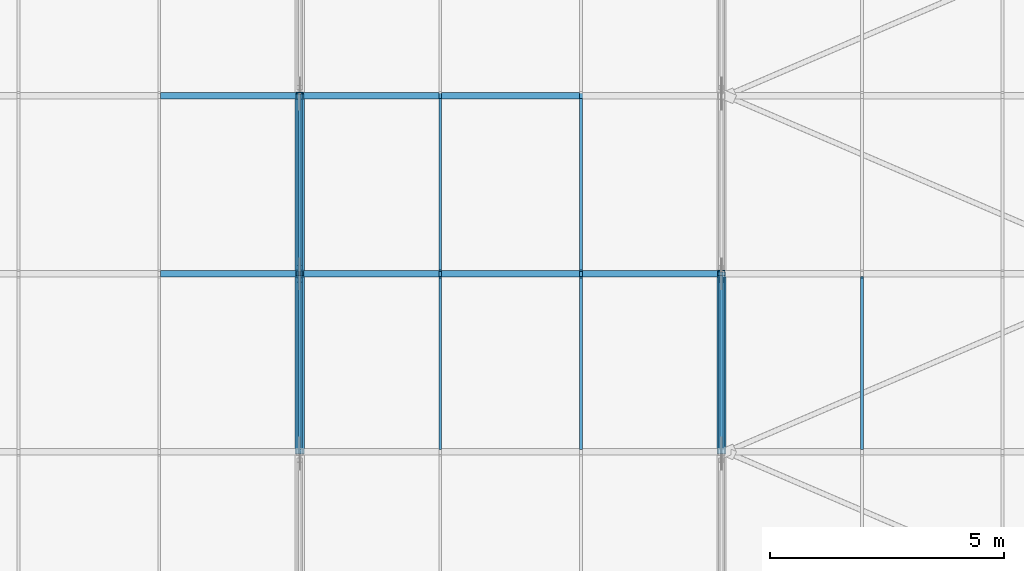
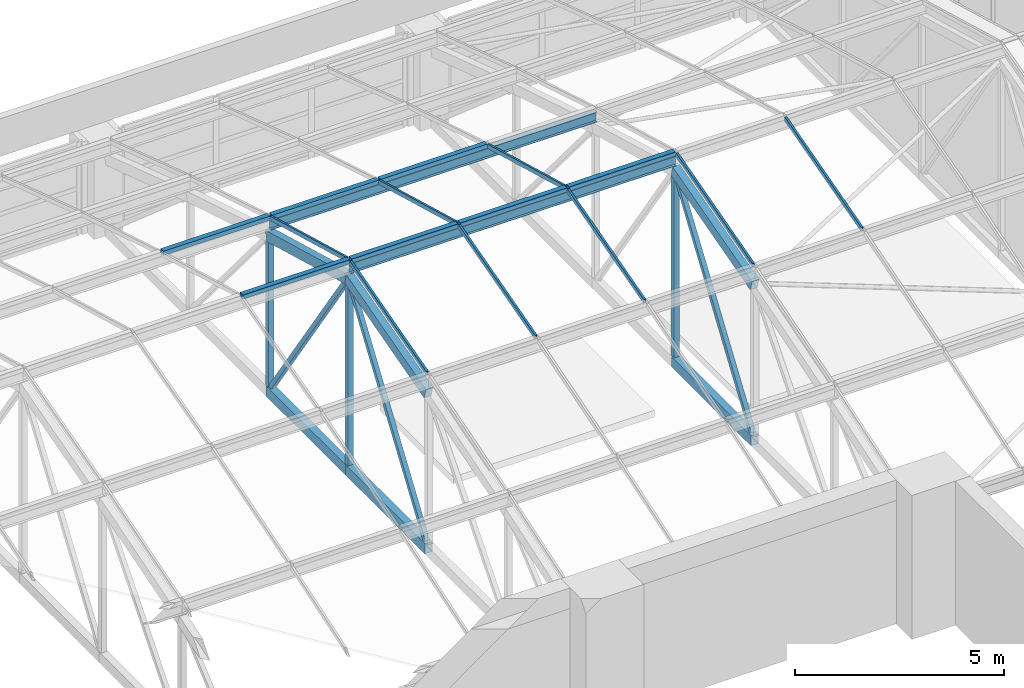
# One storey, part 35 of 82: 29 members, 1 element without a shape of its own.
"""IFC4 building model written with IfcOpenShell, lengths in metres."""

from ifc_helpers import new_model, si_unit, direction, frame, origin, origin_2d, place, context, subcontext, project, spatial, rectangle, hollow_rectangle, i_section, extrude, material, material_profile, profile_set, type_object, element, aggregate, save


model = new_model("IFC4")

# Units and contexts
model_context = context("Model", 3, precision=1e-05, world=origin(), true_north=direction((0.0, 1.0)))
body_context = subcontext(model_context, "Body", "Model", "MODEL_VIEW")
ifc_project = project(units=[si_unit("LENGTHUNIT", "METRE"), si_unit("AREAUNIT", "SQUARE_METRE"), si_unit("VOLUMEUNIT", "CUBIC_METRE"), si_unit("PLANEANGLEUNIT", "RADIAN"), si_unit("MASSUNIT", "GRAM", prefix="KILO")], contexts=[model_context])

# Site, building, storey
site_placement = place(None, origin())
site = spatial("IfcSite", under=ifc_project, at=site_placement, CompositionType="ELEMENT")
building_placement = place(site_placement, origin())
building = spatial("IfcBuilding", under=site, at=building_placement, Name="Aravalli Gate Trade Fair Centre", CompositionType="ELEMENT")
storey_placement = place(building_placement, frame((0.0, 0.0, 19.199951171875)))
storey = spatial("IfcBuildingStorey", under=building, at=storey_placement, Name="L04", CompositionType="ELEMENT", Elevation=19.199951171875)

# Members
ifc_material_1 = material(Name="Steel E350", Category="steel")
ifc_material_profile_1 = material_profile(ifc_material_1, i_section(OverallWidth=0.139892578125, OverallDepth=0.300048828125, WebThickness=0.0078125, FlangeThickness=0.01318359375, at=origin_2d()), Name="ISMB 300")
ifc_profile_set_1 = profile_set([ifc_material_profile_1], Name="Steel E350")
member_type_1 = type_object("IfcMemberType", Name="ISMB 300 roof purlin", PredefinedType="PURLIN", material=ifc_profile_set_1)
for number, where, z_axis, x_axis, name in (
    (1, (141.0, 121.10009765625, 6.030029296875), (1.0, 0.0, 0.0), (0.0, 1.0, 0.0), "Vault purlin 16-17 F3"),
    (2, (141.0, 124.89990234375, 4.999267578125), (1.0, 0.0, 0.0), (0.0, 1.0, 0.0), "Vault purlin 16-17 F4"),
):
    element("IfcMember", number, at=place(storey_placement, frame(where, z_axis=z_axis, x_axis=x_axis)), inside=storey, type_object=member_type_1, Name=name, PredefinedType="PURLIN", context=body_context, shape_type="SweptSolid", body=[
        extrude(i_section(OverallWidth=0.139892578125, OverallDepth=0.300048828125, WebThickness=0.0078125, FlangeThickness=0.01318359375, at=origin_2d()), origin(), (0.0, 0.0, 1.0), 9.0),
    ])
ifc_material_profile_2 = material_profile(ifc_material_1, hollow_rectangle(XDim=0.199951171875, YDim=0.300048828125, WallThickness=0.011962890625, at=origin_2d()), Name="RHS 300x200x12")
ifc_profile_set_2 = profile_set([ifc_material_profile_2], Name="Steel E350")
member_type_2 = type_object("IfcMemberType", Name="RHS 300x200x12 CT1 truss chord", PredefinedType="CHORD", material=ifc_profile_set_2)
member_1_placement = place(storey_placement, frame((141.0, 117.300048828125, 4.674560546875), z_axis=(0.0, 0.963894016224, 0.266286172166), x_axis=(-1.0, 0.0, 0.0)))
element("IfcMember", 3, at=member_1_placement, inside=storey, type_object=member_type_2, Name="Concourse vault truss CT1 line 16 top chord T3", PredefinedType="CHORD", context=body_context, shape_type="SweptSolid", body=[
    extrude(hollow_rectangle(XDim=0.199951171875, YDim=0.300048828125, WallThickness=0.011962890625, at=origin_2d()), origin(), (0.0, 0.0, 1.0), 3.9423828125),
])
member_2_placement = place(storey_placement, frame((141.0, 117.300048828125, 0.150146484375), z_axis=(0.0, 1.0, 0.0), x_axis=(-1.0, 0.0, 0.0)))
element("IfcMember", 4, at=member_2_placement, inside=storey, type_object=member_type_2, Name="Concourse vault truss CT1 line 16 bottom chord B3", PredefinedType="CHORD", context=body_context, shape_type="SweptSolid", body=[
    extrude(hollow_rectangle(XDim=0.199951171875, YDim=0.300048828125, WallThickness=0.011962890625, at=origin_2d()), origin(), (0.0, 0.0, 1.0), 3.800048828125),
])
member_3_placement = place(storey_placement, frame((141.0, 121.10009765625, 5.724365234375), z_axis=(0.0, 0.96388962469, -0.266302067988), x_axis=(-1.0, 0.0, 0.0)))
element("IfcMember", 5, at=member_3_placement, inside=storey, type_object=member_type_2, Name="Concourse vault truss CT1 line 16 top chord T4", PredefinedType="CHORD", context=body_context, shape_type="SweptSolid", body=[
    extrude(hollow_rectangle(XDim=0.199951171875, YDim=0.300048828125, WallThickness=0.011962890625, at=origin_2d()), origin(), (0.0, 0.0, 1.0), 3.942138671875),
])
member_4_placement = place(storey_placement, frame((141.0, 121.10009765625, 0.150146484375), z_axis=(0.0, 1.0, 0.0), x_axis=(-1.0, 0.0, 0.0)))
element("IfcMember", 6, at=member_4_placement, inside=storey, type_object=member_type_2, Name="Concourse vault truss CT1 line 16 bottom chord B4", PredefinedType="CHORD", context=body_context, shape_type="SweptSolid", body=[
    extrude(hollow_rectangle(XDim=0.199951171875, YDim=0.300048828125, WallThickness=0.011962890625, at=origin_2d()), origin(), (0.0, 0.0, 1.0), 3.7998046875),
])
member_5_placement = place(storey_placement, frame((150.0, 117.300048828125, 4.674560546875), z_axis=(0.0, 0.963894016224, 0.266286172166), x_axis=(-1.0, 0.0, 0.0)))
element("IfcMember", 7, at=member_5_placement, inside=storey, type_object=member_type_2, Name="Concourse vault truss CT1 line 17 top chord T3", PredefinedType="CHORD", context=body_context, shape_type="SweptSolid", body=[
    extrude(hollow_rectangle(XDim=0.199951171875, YDim=0.300048828125, WallThickness=0.011962890625, at=origin_2d()), origin(), (0.0, 0.0, 1.0), 3.9423828125),
])
member_6_placement = place(storey_placement, frame((150.0, 117.300048828125, 0.150146484375), z_axis=(0.0, 1.0, 0.0), x_axis=(-1.0, 0.0, 0.0)))
element("IfcMember", 8, at=member_6_placement, inside=storey, type_object=member_type_2, Name="Concourse vault truss CT1 line 17 bottom chord B3", PredefinedType="CHORD", context=body_context, shape_type="SweptSolid", body=[
    extrude(hollow_rectangle(XDim=0.199951171875, YDim=0.300048828125, WallThickness=0.011962890625, at=origin_2d()), origin(), (0.0, 0.0, 1.0), 3.800048828125),
])
ifc_material_profile_3 = material_profile(ifc_material_1, hollow_rectangle(XDim=0.125, YDim=0.125, WallThickness=0.006103515625, at=origin_2d()), Name="SHS 125x125x6")
ifc_profile_set_3 = profile_set([ifc_material_profile_3], Name="Steel E350")
member_type_3 = type_object("IfcMemberType", Name="SHS 125x125x6 CT1 truss diagonal", PredefinedType="BRACE", material=ifc_profile_set_3)
for number, where, z_axis, x_axis, name in (
    (9, (141.0, 117.40234375, 0.300048828125), (0.0, 0.5632471019, 0.826288510268), (-1.0, 0.0, 0.0), "Concourse vault truss CT1 line 16 diagonal D3"),
    (10, (141.0, 121.230712890625, 5.53271484375), (0.0, 0.5632471019, -0.826288510268), (-1.0, 0.0, 0.0), "Concourse vault truss CT1 line 16 diagonal D4"),
    (11, (150.0, 117.40234375, 0.300048828125), (0.0, 0.5632471019, 0.826288510268), (-1.0, 0.0, 0.0), "Concourse vault truss CT1 line 17 diagonal D3"),
):
    element("IfcMember", number, at=place(storey_placement, frame(where, z_axis=z_axis, x_axis=x_axis)), inside=storey, type_object=member_type_3, Name=name, PredefinedType="BRACE", context=body_context, shape_type="SweptSolid", body=[
        extrude(hollow_rectangle(XDim=0.125, YDim=0.125, WallThickness=0.006103515625, at=origin_2d()), origin(), (0.0, 0.0, 1.0), 6.332763671875),
    ])
ifc_material_profile_4 = material_profile(ifc_material_1, hollow_rectangle(XDim=0.14990234375, YDim=0.14990234375, WallThickness=0.006103515625, at=origin_2d()), Name="SHS 150x150x6")
ifc_profile_set_4 = profile_set([ifc_material_profile_4], Name="Steel E350")
member_type_4 = type_object("IfcMemberType", Name="SHS 150x150x6 CT1 truss post", PredefinedType="POST", material=ifc_profile_set_4)
member_7_placement = place(storey_placement, frame((141.0, 121.10009765625, 0.300048828125), z_axis=(0.0, 0.0, 1.0), x_axis=(1.0, 0.0, 0.0)))
element("IfcMember", 12, at=member_7_placement, inside=storey, type_object=member_type_4, Name="Concourse vault truss CT1 line 16 post V3", PredefinedType="POST", context=body_context, shape_type="SweptSolid", body=[
    extrude(hollow_rectangle(XDim=0.14990234375, YDim=0.14990234375, WallThickness=0.006103515625, at=origin_2d()), origin(), (0.0, 0.0, 1.0), 5.268798828125),
])
member_8_placement = place(storey_placement, frame((141.0, 124.89990234375, 0.300048828125), z_axis=(0.0, 0.0, 1.0), x_axis=(1.0, 0.0, 0.0)))
element("IfcMember", 13, at=member_8_placement, inside=storey, type_object=member_type_4, Name="Concourse vault truss CT1 line 16 post V4", PredefinedType="POST", context=body_context, shape_type="SweptSolid", body=[
    extrude(hollow_rectangle(XDim=0.14990234375, YDim=0.14990234375, WallThickness=0.006103515625, at=origin_2d()), origin(), (0.0, 0.0, 1.0), 4.216552734375),
])
member_9_placement = place(storey_placement, frame((150.0, 121.10009765625, 0.300048828125), z_axis=(0.0, 0.0, 1.0), x_axis=(1.0, 0.0, 0.0)))
element("IfcMember", 14, at=member_9_placement, inside=storey, type_object=member_type_4, Name="Concourse vault truss CT1 line 17 post V3", PredefinedType="POST", context=body_context, shape_type="SweptSolid", body=[
    extrude(hollow_rectangle(XDim=0.14990234375, YDim=0.14990234375, WallThickness=0.006103515625, at=origin_2d()), origin(), (0.0, 0.0, 1.0), 5.268798828125),
])
ifc_material_2 = material(Name="Aluminium", Category="aluminium")
ifc_material_profile_5 = material_profile(ifc_material_2, rectangle(XDim=0.139892578125, YDim=0.1201171875, at=origin_2d()), Name="Vault fold cap 140 x 120")
ifc_profile_set_5 = profile_set([ifc_material_profile_5], Name="Aluminium")
member_type_5 = type_object("IfcMemberType", Name="Vault fold cap 140 x 120", PredefinedType="USERDEFINED", material=ifc_profile_set_5)
for number, where, z_axis, x_axis, name in (
    (15, (138.030029296875, 121.10009765625, 6.239990234375), (1.0, 0.0, 0.0), (0.0, 1.0, 0.0), "Vault fold cap e13.3"),
    (16, (138.030029296875, 124.89990234375, 5.209228515625), (1.0, 0.0, 0.0), (0.0, 1.0, 0.0), "Vault fold cap e13.4"),
    (17, (141.030029296875, 121.10009765625, 6.239990234375), (1.0, 0.0, 0.0), (0.0, 1.0, 0.0), "Vault fold cap e14.3"),
    (18, (141.030029296875, 124.89990234375, 5.209228515625), (1.0, 0.0, 0.0), (0.0, 1.0, 0.0), "Vault fold cap e14.4"),
    (19, (144.030029296875, 121.10009765625, 6.239990234375), (1.0, 0.0, 0.0), (0.0, 1.0, 0.0), "Vault fold cap e15.3"),
    (20, (144.030029296875, 124.89990234375, 5.209228515625), (1.0, 0.0, 0.0), (0.0, 1.0, 0.0), "Vault fold cap e15.4"),
    (21, (147.030029296875, 121.10009765625, 6.239990234375), (1.0, 0.0, 0.0), (0.0, 1.0, 0.0), "Vault fold cap e16.3"),
):
    element("IfcMember", number, at=place(storey_placement, frame(where, z_axis=z_axis, x_axis=x_axis)), inside=storey, type_object=member_type_5, Name=name, ObjectType="FOLD CAP", PredefinedType="USERDEFINED", context=body_context, shape_type="SweptSolid", body=[
        extrude(rectangle(XDim=0.139892578125, YDim=0.1201171875, at=origin_2d()), origin(), (0.0, 0.0, 1.0), 2.93994140625),
    ])

# Curtain wall, members
ifc_material_3 = material(Name="Aluminium and glass", Category="aluminium")
curtain_wall_type = type_object("IfcCurtainWallType", Name="Vault curtain wall, sloped glazing", PredefinedType="NOTDEFINED", material=ifc_material_3)
curtain_wall_placement = place(storey_placement, origin())
curtain_wall = element("IfcCurtainWall", 22, at=curtain_wall_placement, inside=storey, type_object=curtain_wall_type, Name="Vault curtain wall e", PredefinedType="NOTDEFINED")
ifc_material_profile_6 = material_profile(ifc_material_2, rectangle(XDim=0.06005859375, YDim=0.1201171875, at=origin_2d()), Name="Vault glazing bar 60 x 120")
ifc_profile_set_6 = profile_set([ifc_material_profile_6], Name="Aluminium")
member_type_6 = type_object("IfcMemberType", Name="Vault glazing bar 60 x 120", PredefinedType="USERDEFINED", material=ifc_profile_set_6)
member_10_placement = place(storey_placement, frame((141.0, 117.3701171875, 5.20703125), z_axis=(0.0, 0.96386804037, 0.266380180859), x_axis=(-1.0, 0.0, 0.0)))
member_10 = element("IfcMember", 23, at=member_10_placement, type_object=member_type_6, Name="Vault glazing bar e14.3", ObjectType="GLAZING BAR", PredefinedType="USERDEFINED", context=body_context, shape_type="SweptSolid", body=[
    extrude(rectangle(XDim=0.06005859375, YDim=0.1201171875, at=origin_2d()), origin(), (0.0, 0.0, 1.0), 3.797119140625),
])
member_11_placement = place(storey_placement, frame((141.0, 121.169921875, 6.218505859375), z_axis=(0.0, 0.963872602318, -0.266363673386), x_axis=(-1.0, 0.0, 0.0)))
member_11 = element("IfcMember", 24, at=member_11_placement, type_object=member_type_6, Name="Vault glazing bar e14.4", ObjectType="GLAZING BAR", PredefinedType="USERDEFINED", context=body_context, shape_type="SweptSolid", body=[
    extrude(rectangle(XDim=0.06005859375, YDim=0.1201171875, at=origin_2d()), origin(), (0.0, 0.0, 1.0), 3.79736328125),
])
member_12_placement = place(storey_placement, frame((144.0, 117.3701171875, 5.20703125), z_axis=(0.0, 0.96386804037, 0.266380180859), x_axis=(-1.0, 0.0, 0.0)))
member_12 = element("IfcMember", 25, at=member_12_placement, type_object=member_type_6, Name="Vault glazing bar e15.3", ObjectType="GLAZING BAR", PredefinedType="USERDEFINED", context=body_context, shape_type="SweptSolid", body=[
    extrude(rectangle(XDim=0.06005859375, YDim=0.1201171875, at=origin_2d()), origin(), (0.0, 0.0, 1.0), 3.797119140625),
])
member_13_placement = place(storey_placement, frame((144.0, 121.169921875, 6.218505859375), z_axis=(0.0, 0.963872602318, -0.266363673386), x_axis=(-1.0, 0.0, 0.0)))
member_13 = element("IfcMember", 26, at=member_13_placement, type_object=member_type_6, Name="Vault glazing bar e15.4", ObjectType="GLAZING BAR", PredefinedType="USERDEFINED", context=body_context, shape_type="SweptSolid", body=[
    extrude(rectangle(XDim=0.06005859375, YDim=0.1201171875, at=origin_2d()), origin(), (0.0, 0.0, 1.0), 3.79736328125),
])
member_14_placement = place(storey_placement, frame((147.0, 117.3701171875, 5.20703125), z_axis=(0.0, 0.96386804037, 0.266380180859), x_axis=(-1.0, 0.0, 0.0)))
member_14 = element("IfcMember", 27, at=member_14_placement, type_object=member_type_6, Name="Vault glazing bar e16.3", ObjectType="GLAZING BAR", PredefinedType="USERDEFINED", context=body_context, shape_type="SweptSolid", body=[
    extrude(rectangle(XDim=0.06005859375, YDim=0.1201171875, at=origin_2d()), origin(), (0.0, 0.0, 1.0), 3.797119140625),
])
member_15_placement = place(storey_placement, frame((147.0, 121.169921875, 6.218505859375), z_axis=(0.0, 0.963872602318, -0.266363673386), x_axis=(-1.0, 0.0, 0.0)))
member_15 = element("IfcMember", 28, at=member_15_placement, type_object=member_type_6, Name="Vault glazing bar e16.4", ObjectType="GLAZING BAR", PredefinedType="USERDEFINED", context=body_context, shape_type="SweptSolid", body=[
    extrude(rectangle(XDim=0.06005859375, YDim=0.1201171875, at=origin_2d()), origin(), (0.0, 0.0, 1.0), 3.79736328125),
])
member_16_placement = place(storey_placement, frame((150.0, 117.3701171875, 5.20703125), z_axis=(0.0, 0.96386804037, 0.266380180859), x_axis=(-1.0, 0.0, 0.0)))
member_16 = element("IfcMember", 29, at=member_16_placement, type_object=member_type_6, Name="Vault glazing bar e17.3", ObjectType="GLAZING BAR", PredefinedType="USERDEFINED", context=body_context, shape_type="SweptSolid", body=[
    extrude(rectangle(XDim=0.06005859375, YDim=0.1201171875, at=origin_2d()), origin(), (0.0, 0.0, 1.0), 3.797119140625),
])
member_17_placement = place(storey_placement, frame((153.0, 117.3701171875, 5.20703125), z_axis=(0.0, 0.96386804037, 0.266380180859), x_axis=(-1.0, 0.0, 0.0)))
member_17 = element("IfcMember", 30, at=member_17_placement, type_object=member_type_6, Name="Vault glazing bar e18.3", ObjectType="GLAZING BAR", PredefinedType="USERDEFINED", context=body_context, shape_type="SweptSolid", body=[
    extrude(rectangle(XDim=0.06005859375, YDim=0.1201171875, at=origin_2d()), origin(), (0.0, 0.0, 1.0), 3.797119140625),
])
aggregate(curtain_wall, [member_10, member_11, member_12, member_13, member_14, member_15, member_16, member_17])

save(model, "model.ifc")
